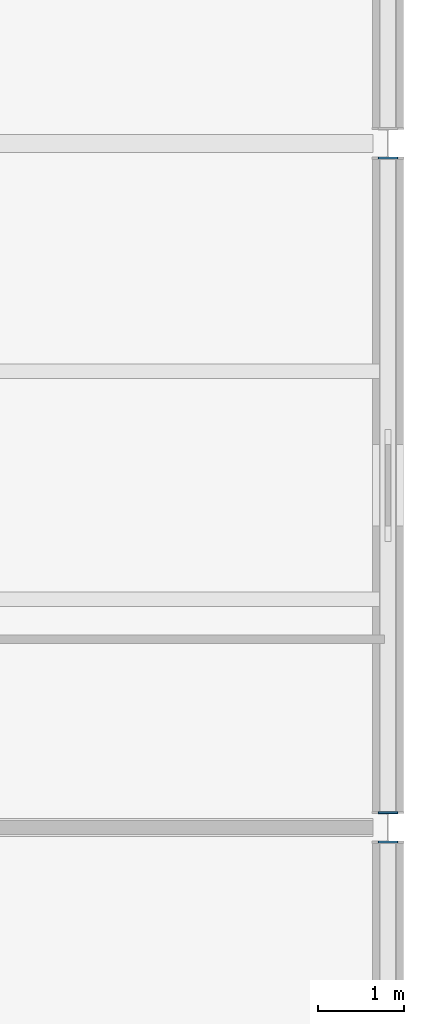
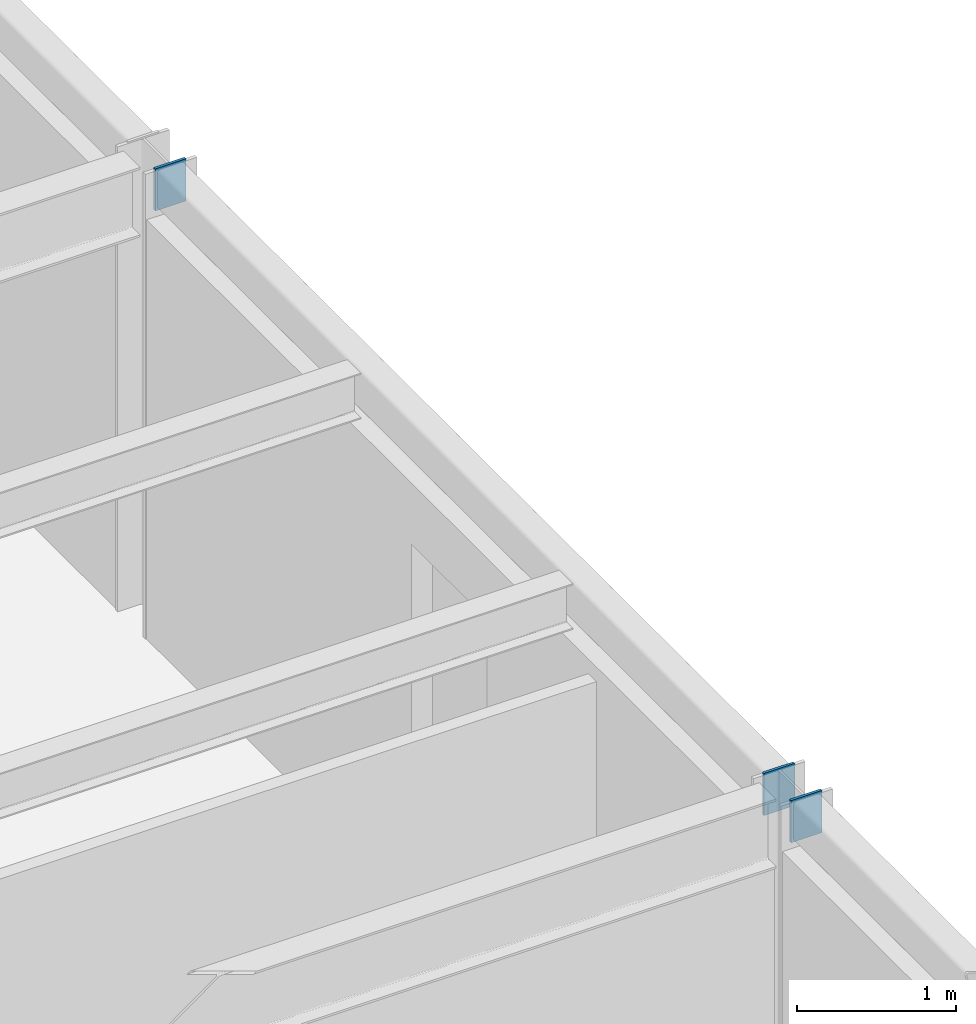
# One storey, part 86 of 96: 3 discrete accessories.
"""IFC4 building model written with IfcOpenShell, lengths in metres."""

from ifc_helpers import new_model, si_unit, direction, frame, origin, origin_2d, place, context, subcontext, project, spatial, rectangle, extrude, material, layer, layer_set, type_object, element, save


model = new_model("IFC4")

# Units and contexts
model_context = context("Model", 3, precision=1e-05, world=origin(), true_north=direction((0.0, 1.0)))
body_context = subcontext(model_context, "Body", "Model", "MODEL_VIEW")
ifc_project = project(units=[si_unit("LENGTHUNIT", "METRE"), si_unit("AREAUNIT", "SQUARE_METRE"), si_unit("VOLUMEUNIT", "CUBIC_METRE"), si_unit("PLANEANGLEUNIT", "RADIAN"), si_unit("MASSUNIT", "GRAM", prefix="KILO")], contexts=[model_context])

# Site, building, storey
site_placement = place(None, origin())
site = spatial("IfcSite", under=ifc_project, at=site_placement, CompositionType="ELEMENT")
building_placement = place(site_placement, origin())
building = spatial("IfcBuilding", under=site, at=building_placement, Name="Kranzveld Transit Interchange", CompositionType="ELEMENT")
storey_placement = place(building_placement, frame((0.0, 0.0, 9.52001953125)))
storey = spatial("IfcBuildingStorey", under=building, at=storey_placement, Name="L02", CompositionType="ELEMENT", Elevation=9.52001953125)

# Discrete accessories
ifc_material = material(Name="Steel S355JR", Category="steel")
ifc_layer = layer(ifc_material, 0.02001953125)
ifc_layer_set = layer_set([ifc_layer], Name="Steel S355JR")
discrete_accessory_type = type_object("IfcDiscreteAccessoryType", Name="Hollow Section End Cap Bracket 20 S355JR", PredefinedType="BRACKET", material=ifc_layer_set)
for number, where, z_axis, x_axis, name in (
    (1, (168.0, 95.818603515625, 3.419921875), (0.0, 1.0, 0.0), (-1.0, 0.0, 0.0), "Hollow Section End Cap SP-RHS300-2"),
    (2, (168.0, 96.181396484375, 3.419921875), (0.0, -1.0, 0.0), (1.0, 0.0, 0.0), "Hollow Section End Cap SP-RHS300-1"),
    (3, (168.0, 103.818603515625, 3.419921875), (0.0, 1.0, 0.0), (-1.0, 0.0, 0.0), "Hollow Section End Cap SP-RHS300-2"),
):
    element("IfcDiscreteAccessory", number, at=place(storey_placement, frame(where, z_axis=z_axis, x_axis=x_axis)), inside=storey, type_object=discrete_accessory_type, Name=name, PredefinedType="BRACKET", context=body_context, shape_type="SweptSolid", body=[
        extrude(rectangle(XDim=0.22412109375, YDim=0.323974609375, at=origin_2d()), origin(), (0.0, 0.0, 1.0), 0.02001953125),
    ])

save(model, "model.ifc")
